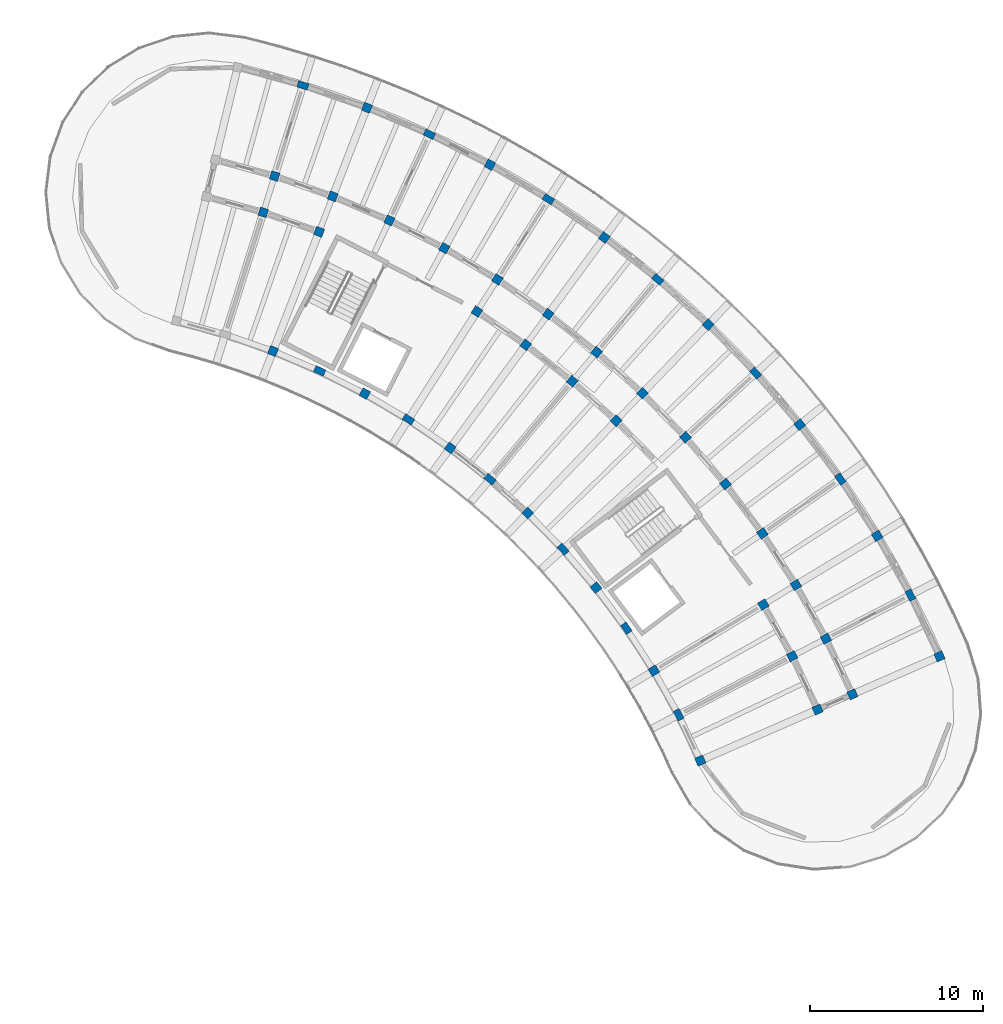
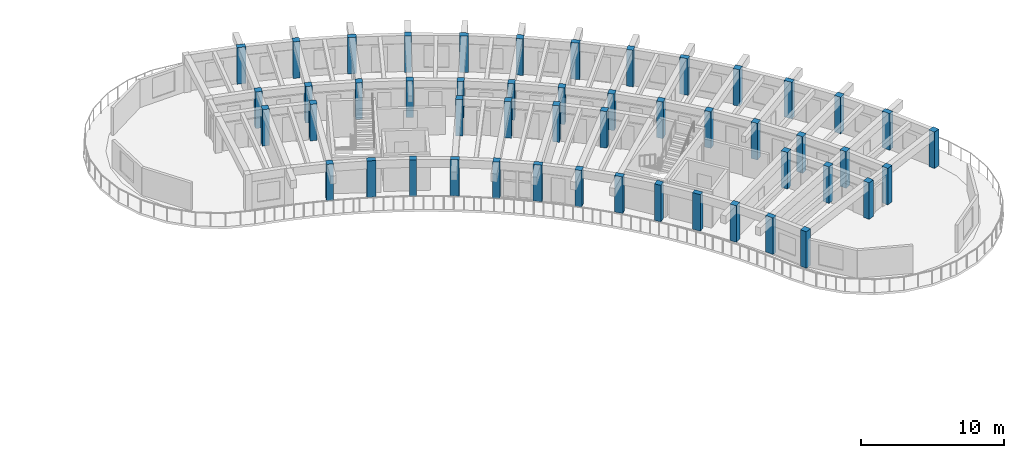
# One storey, part 2 of 41: 50 columns.
"""IFC4 building model written with IfcOpenShell, lengths in metres."""

from ifc_helpers import new_model, si_unit, direction, frame, origin, origin_2d, place, context, subcontext, project, spatial, rectangle, extrude, material, material_profile, profile_set, type_object, element, save


model = new_model("IFC4")

# Units and contexts
model_context = context("Model", 3, precision=1e-05, world=origin(), true_north=direction((0.0, 1.0)))
body_context = subcontext(model_context, "Body", "Model", "MODEL_VIEW")
ifc_project = project(units=[si_unit("LENGTHUNIT", "METRE"), si_unit("AREAUNIT", "SQUARE_METRE"), si_unit("VOLUMEUNIT", "CUBIC_METRE"), si_unit("PLANEANGLEUNIT", "RADIAN"), si_unit("MASSUNIT", "GRAM", prefix="KILO")], contexts=[model_context])

# Site, building, storey
site_placement = place(None, origin())
site = spatial("IfcSite", under=ifc_project, at=site_placement, CompositionType="ELEMENT")
building_placement = place(site_placement, origin())
building = spatial("IfcBuilding", under=site, at=building_placement, Name="Tanwirah Colonnade Gardens", CompositionType="ELEMENT")
storey_placement = place(building_placement, frame((0.0, 0.0, 35.719970703125)))
storey = spatial("IfcBuildingStorey", under=building, at=storey_placement, Name="L10", CompositionType="ELEMENT", Elevation=35.719970703125)

# Columns
ifc_material = material(Name="Precast concrete C40/50", Category="concrete")
ifc_material_profile_1 = material_profile(ifc_material, rectangle(XDim=0.5, YDim=0.5, at=origin_2d()), Name="PC-COL 500x500")
ifc_profile_set_1 = profile_set([ifc_material_profile_1], Name="Precast concrete C40/50")
column_type_1 = type_object("IfcColumnType", Name="C-PC500", PredefinedType="COLUMN", material=ifc_profile_set_1)
for number, where, z_axis, x_axis, name in (
    (1, (161.74609375, 77.9638671875, 0.0), (0.0, 0.0, 1.0), (0.916673002238, 0.39963809499, 0.0), "Block B L10 Column 2-R0"),
    (2, (168.529541015625, 80.921142578125, 0.0), (0.0, 0.0, 1.0), (0.916673002238, 0.39963809499, 0.0), "Block B L10 Column 2-R1"),
    (3, (170.546142578125, 81.800537109375, 0.0), (0.0, 0.0, 1.0), (0.916673002238, 0.39963809499, 0.0), "Block B L10 Column 2-R2"),
    (4, (175.587890625, 83.99853515625, 0.0), (0.0, 0.0, 1.0), (0.916673002238, 0.39963809499, 0.0), "Block B L10 Column 2-R3"),
    (5, (167.06103515625, 84.0078125, 0.0), (0.0, 0.0, 1.0), (0.88835024545, 0.459166463723, 0.0), "Block B L10 Column 3-R1"),
    (6, (169.015380859375, 85.01806640625, 0.0), (0.0, 0.0, 1.0), (0.88835024545, 0.459166463723, 0.0), "Block B L10 Column 3-R2"),
    (7, (159.056640625, 83.167236328125, 0.0), (0.0, 0.0, 1.0), (0.856166891514, 0.516699384434, 0.0), "Block B L10 Column 4-R0"),
    (8, (165.392333984375, 86.990966796875, 0.0), (0.0, 0.0, 1.0), (0.856166891514, 0.516699384434, 0.0), "Block B L10 Column 4-R1"),
    (9, (167.27587890625, 88.127685546875, 0.0), (0.0, 0.0, 1.0), (0.856166891514, 0.516699384434, 0.0), "Block B L10 Column 4-R2"),
    (10, (171.984619140625, 90.969482421875, 0.0), (0.0, 0.0, 1.0), (0.856166891514, 0.516699384434, 0.0), "Block B L10 Column 4-R3"),
    (11, (165.335205078125, 91.115966796875, 0.0), (0.0, 0.0, 1.0), (0.820262803018, 0.571986830255, 0.0), "Block B L10 Column 5-R2"),
    (12, (155.706298828125, 87.971923828125, 0.0), (0.0, 0.0, 1.0), (0.780794012137, 0.624788532714, 0.0), "Block B L10 Column 6-R0"),
    (13, (163.201904296875, 93.9697265625, 0.0), (0.0, 0.0, 1.0), (0.780794012137, 0.624788532714, 0.0), "Block B L10 Column 6-R2"),
    (14, (167.496337890625, 97.40625, 0.0), (0.0, 0.0, 1.0), (0.780794012137, 0.624788532714, 0.0), "Block B L10 Column 6-R3"),
    (15, (160.88525390625, 96.677001953125, 0.0), (0.0, 0.0, 1.0), (0.73793204255, 0.674875025896, 0.0), "Block B L10 Column 7-R2"),
    (16, (151.75341796875, 92.294189453125, 0.0), (0.0, 0.0, 1.0), (0.691863164029, 0.722028643656, 0.0), "Block B L10 Column 8-R0"),
    (17, (156.873046875, 97.63720703125, 0.0), (0.0, 0.0, 1.0), (0.691863164029, 0.722028643656, 0.0), "Block B L10 Column 8-R1"),
    (18, (158.395263671875, 99.2255859375, 0.0), (0.0, 0.0, 1.0), (0.691863164029, 0.722028643656, 0.0), "Block B L10 Column 8-R2"),
    (19, (162.200439453125, 103.19677734375, 0.0), (0.0, 0.0, 1.0), (0.691863164029, 0.722028643656, 0.0), "Block B L10 Column 8-R3"),
    (20, (154.32861328125, 99.91943359375, 0.0), (0.0, 0.0, 1.0), (0.642787582947, 0.766044465556, 0.0), "Block B L10 Column 9-R1"),
    (21, (155.74267578125, 101.604736328125, 0.0), (0.0, 0.0, 1.0), (0.642787582947, 0.766044465556, 0.0), "Block B L10 Column 9-R2"),
    (22, (147.266357421875, 96.05908203125, 0.0), (0.0, 0.0, 1.0), (0.590918572221, 0.806731207407, 0.0), "Block B L10 Column 10-R0"),
    (23, (151.63916015625, 102.029052734375, 0.0), (0.0, 0.0, 1.0), (0.590918572221, 0.806731207407, 0.0), "Block B L10 Column 10-R1"),
    (24, (152.939208984375, 103.8037109375, 0.0), (0.0, 0.0, 1.0), (0.590918572221, 0.806731207407, 0.0), "Block B L10 Column 10-R2"),
    (25, (156.189208984375, 108.24072265625, 0.0), (0.0, 0.0, 1.0), (0.590918572221, 0.806731207407, 0.0), "Block B L10 Column 10-R3"),
    (26, (148.816650390625, 103.956787109375, 0.0), (0.0, 0.0, 1.0), (0.536481544469, 0.843912052553, 0.0), "Block B L10 Column 11-R1"),
    (27, (149.996826171875, 105.8134765625, 0.0), (0.0, 0.0, 1.0), (0.536481544469, 0.843912052553, 0.0), "Block B L10 Column 11-R2"),
    (28, (142.3232421875, 99.20166015625, 0.0), (0.0, 0.0, 1.0), (0.479713072413, 0.877425420281, 0.0), "Block B L10 Column 12-R0"),
    (29, (146.928466796875, 107.624755859375, 0.0), (0.0, 0.0, 1.0), (0.479713072413, 0.877425420281, 0.0), "Block B L10 Column 12-R2"),
    (30, (149.56689453125, 112.45068359375, 0.0), (0.0, 0.0, 1.0), (0.479713072413, 0.877425420281, 0.0), "Block B L10 Column 12-R3"),
    (31, (143.74755859375, 109.230224609375, 0.0), (0.0, 0.0, 1.0), (0.420859860775, 0.907125668024, 0.0), "Block B L10 Column 13-R2"),
    (32, (137.010009765625, 101.666748046875, 0.0), (0.0, 0.0, 1.0), (0.36017767415, 0.932883724289, 0.0), "Block B L10 Column 14-R0"),
    (33, (139.67529296875, 108.570068359375, 0.0), (0.0, 0.0, 1.0), (0.36017767415, 0.932883724289, 0.0), "Block B L10 Column 14-R1"),
    (34, (140.467529296875, 110.622314453125, 0.0), (0.0, 0.0, 1.0), (0.36017767415, 0.932883724289, 0.0), "Block B L10 Column 14-R2"),
    (35, (142.448486328125, 115.753173828125, 0.0), (0.0, 0.0, 1.0), (0.36017767415, 0.932883724289, 0.0), "Block B L10 Column 14-R3"),
    (36, (136.44775390625, 109.6953125, 0.0), (0.0, 0.0, 1.0), (0.297930225503, 0.954587649581, 0.0), "Block B L10 Column 15-R1"),
    (37, (137.10302734375, 111.79541015625, 0.0), (0.0, 0.0, 1.0), (0.297930225503, 0.954587649581, 0.0), "Block B L10 Column 15-R2"),
):
    element("IfcColumn", number, at=place(storey_placement, frame(where, z_axis=z_axis, x_axis=x_axis)), inside=storey, type_object=column_type_1, Name=name, PredefinedType="COLUMN", context=body_context, shape_type="SweptSolid", body=[
        extrude(rectangle(XDim=0.5, YDim=0.5, at=origin_2d()), origin(), (0.0, 0.0, 1.0), 3.114990234375),
    ])
ifc_material_profile_2 = material_profile(ifc_material, rectangle(XDim=0.389892578125, YDim=0.6298828125, at=origin_2d()), Name="PC-PIL 390x630")
ifc_profile_set_2 = profile_set([ifc_material_profile_2], Name="Precast concrete C40/50")
column_type_2 = type_object("IfcColumnType", Name="PIL-360", PredefinedType="PILASTER", material=ifc_profile_set_2)
for number, where, z_axis, x_axis, name in (
    (38, (160.487060546875, 80.60986328125, 0.0), (0.0, 0.0, 1.0), (0.88835024545, 0.459166463723, 0.0), "Block B L10 Column 3-R0"),
    (39, (173.9013671875, 87.54345703125, 0.0), (0.0, 0.0, 1.0), (0.88835024545, 0.459166463723, 0.0), "Block B L10 Column 3-R3"),
    (40, (157.460693359375, 85.624755859375, 0.0), (0.0, 0.0, 1.0), (0.820262803018, 0.571986830255, 0.0), "Block B L10 Column 5-R0"),
    (41, (169.8466796875, 94.26171875, 0.0), (0.0, 0.0, 1.0), (0.820262803018, 0.571986830255, 0.0), "Block B L10 Column 5-R3"),
    (42, (153.801025390625, 90.1982421875, 0.0), (0.0, 0.0, 1.0), (0.73793204255, 0.674875025896, 0.0), "Block B L10 Column 7-R0"),
    (43, (164.94384765625, 100.388916015625, 0.0), (0.0, 0.0, 1.0), (0.73793204255, 0.674875025896, 0.0), "Block B L10 Column 7-R3"),
    (44, (149.572021484375, 94.250732421875, 0.0), (0.0, 0.0, 1.0), (0.642787582947, 0.766044465556, 0.0), "Block B L10 Column 9-R0"),
    (45, (159.278076171875, 105.81787109375, 0.0), (0.0, 0.0, 1.0), (0.642787582947, 0.766044465556, 0.0), "Block B L10 Column 9-R3"),
    (46, (144.8466796875, 97.7119140625, 0.0), (0.0, 0.0, 1.0), (0.536481544469, 0.843912052553, 0.0), "Block B L10 Column 11-R0"),
    (47, (152.947509765625, 110.455078125, 0.0), (0.0, 0.0, 1.0), (0.536481544469, 0.843912052553, 0.0), "Block B L10 Column 11-R3"),
    (48, (139.707275390625, 100.521728515625, 0.0), (0.0, 0.0, 1.0), (0.420859860775, 0.907125668024, 0.0), "Block B L10 Column 13-R0"),
    (49, (146.062255859375, 114.21923828125, 0.0), (0.0, 0.0, 1.0), (0.420859860775, 0.907125668024, 0.0), "Block B L10 Column 13-R3"),
    (50, (138.74169921875, 117.045654296875, 0.0), (0.0, 0.0, 1.0), (0.297930225503, 0.954587649581, 0.0), "Block B L10 Column 15-R3"),
):
    element("IfcColumn", number, at=place(storey_placement, frame(where, z_axis=z_axis, x_axis=x_axis)), inside=storey, type_object=column_type_2, Name=name, PredefinedType="PILASTER", context=body_context, shape_type="SweptSolid", body=[
        extrude(rectangle(XDim=0.389892578125, YDim=0.6298828125, at=origin_2d()), origin(), (0.0, 0.0, 1.0), 3.114990234375),
    ])

save(model, "model.ifc")
